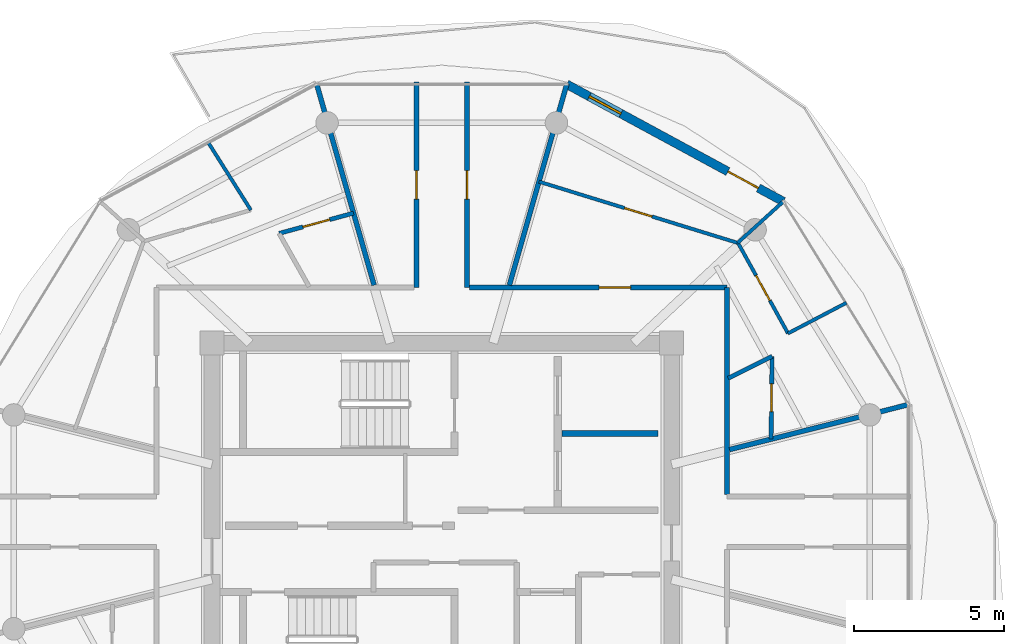
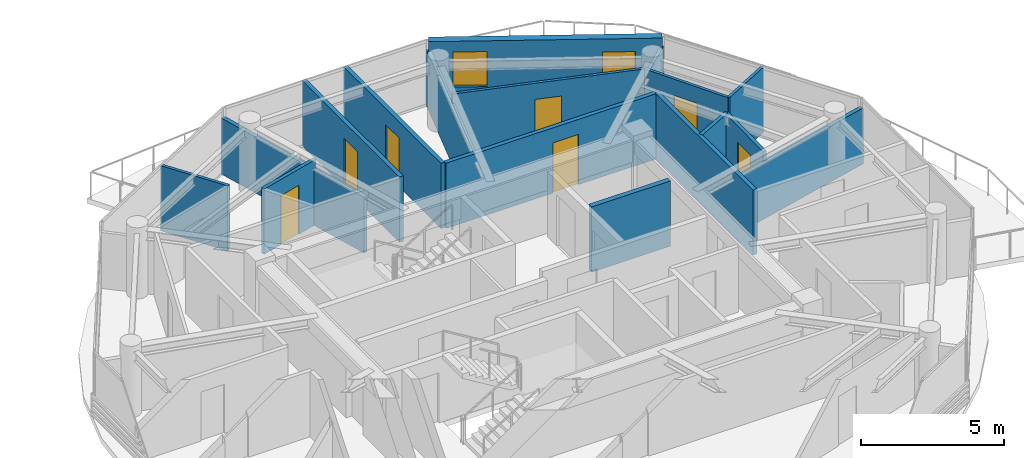
# One storey, part 14 of 19: 17 walls, 8 doors, 1 window, 9 openings.
"""IFC4 building model written with IfcOpenShell, lengths in metres."""

from ifc_helpers import new_model, si_unit, direction, frame, frame_2d, origin, place, context, subcontext, project, spatial, rectangle, extrude, source, transform, mapped, material, layer, layer_set, type_object, type_shapes, element, fill, save


model = new_model("IFC4")

# Units and contexts
model_context = context("Model", 3, precision=1e-05, world=origin(), true_north=direction((0.0, 1.0)))
body_context = subcontext(model_context, "Body", "Model", "MODEL_VIEW")
ifc_project = project(units=[si_unit("LENGTHUNIT", "METRE"), si_unit("AREAUNIT", "SQUARE_METRE"), si_unit("VOLUMEUNIT", "CUBIC_METRE"), si_unit("PLANEANGLEUNIT", "RADIAN"), si_unit("MASSUNIT", "GRAM", prefix="KILO")], contexts=[model_context])

# Site, building, storey
site_placement = place(None, origin())
site = spatial("IfcSite", under=ifc_project, at=site_placement, CompositionType="ELEMENT")
building_placement = place(site_placement, origin())
building = spatial("IfcBuilding", under=site, at=building_placement, Name="Norrkilde Senior Care Towers", CompositionType="ELEMENT")
storey_placement = place(building_placement, frame((0.0, 0.0, 235.25)))
storey = spatial("IfcBuildingStorey", under=building, at=storey_placement, Name="L73", CompositionType="ELEMENT", Elevation=235.25)

# Wall, openings, door, window
ifc_material_1 = material(Name="Precast concrete C45/55", Category="concrete")
ifc_layer_1 = layer(ifc_material_1, 0.2900390625)
ifc_layer_set_1 = layer_set([ifc_layer_1], Name="Precast concrete C45/55")
wall_type_1 = type_object("IfcWallType", Name="Winter Garden Facade Wall 290", PredefinedType="SOLIDWALL", material=ifc_layer_set_1)
shared_shape_1 = source(origin(), body_context, "Body", "SweptSolid", [
    extrude(rectangle(XDim=8.197265625, YDim=0.2900390625, at=frame_2d((4.0986328125, 0.0))), origin(), (0.0, 0.0, 1.0), 2.81005859375),
])
type_shapes(wall_type_1, [shared_shape_1])
wall_1_placement = place(storey_placement, frame((32.161865234375, 14.566162109375, 0.0), z_axis=(0.0, 0.0, 1.0), x_axis=(0.879369910001, -0.476139224791, 0.0)))
wall_1 = element("IfcWall", 1, at=wall_1_placement, inside=storey, type_object=wall_type_1, Name="L73 Drum E Balcony Access Wall 01", PredefinedType="SOLIDWALL", context=body_context, shape_type="MappedRepresentation", body=[
    mapped(shared_shape_1, transform((0.0, 0.0, 0.0), x_axis=(1.0, 0.0, 0.0), y_axis=(0.0, 1.0, 0.0), z_axis=(0.0, 0.0, 1.0), scale=1.0)),
])
opening_1_placement = place(wall_1_placement, frame((6.10009765625, 0.0, 0.0)))
opening_1 = element("IfcOpeningElement", 2, at=opening_1_placement, cuts=wall_1, Name="Opening D-09", PredefinedType="OPENING", context=body_context, shape_type="SweptSolid", body=[
    extrude(rectangle(XDim=1.14990234375, YDim=2.25, at=frame_2d((0.574951171875, 1.125))), frame((0.0, 0.155029296875, 0.0), z_axis=(0.0, -1.0, 0.0), x_axis=(1.0, 0.0, 0.0)), (0.0, 0.0, 1.0), 0.31005859375),
])
opening_2_placement = place(wall_1_placement, frame((0.85009765625, 0.0, 0.85009765625)))
opening_2 = element("IfcOpeningElement", 3, at=opening_2_placement, cuts=wall_1, Name="Opening WN-07", PredefinedType="OPENING", context=body_context, shape_type="SweptSolid", body=[
    extrude(rectangle(XDim=1.199951171875, YDim=1.5, at=frame_2d((0.60009765625, 0.75))), frame((0.0, 0.155029296875, 0.0), z_axis=(0.0, -1.0, 0.0), x_axis=(1.0, 0.0, 0.0)), (0.0, 0.0, 1.0), 0.31005859375),
])
ifc_material_2 = material(Name="Anodised Aluminium", Category="aluminium")
door_type_1 = type_object("IfcDoorType", Name="Terrace and Balcony Glazed Door 1150x2250", OperationType="NOTDEFINED", PredefinedType="DOOR", material=ifc_material_2)
shared_shape_2 = source(origin(), body_context, "Body", "SweptSolid", [
    extrude(rectangle(XDim=1.14990234375, YDim=2.25, at=frame_2d((0.574951171875, 1.125))), frame((0.0, 0.02490234375, 0.0), z_axis=(0.0, -1.0, 0.0), x_axis=(1.0, 0.0, 0.0)), (0.0, 0.0, 1.0), 0.050048828125),
])
type_shapes(door_type_1, [shared_shape_2])
door_1_placement = place(opening_1_placement, origin())
door_1 = element("IfcDoor", 4, at=door_1_placement, inside=storey, type_object=door_type_1, Name="L73 Drum E Outdoor Terrace Door 01", OperationType="SINGLE_SWING_RIGHT", OverallHeight=2.25, OverallWidth=1.14990234375, PredefinedType="DOOR", context=body_context, shape_type="MappedRepresentation", body=[
    mapped(shared_shape_2, transform((0.0, 0.0, 0.0), x_axis=(1.0, 0.0, 0.0), y_axis=(0.0, 1.0, 0.0), z_axis=(0.0, 0.0, 1.0), scale=1.0)),
])
fill(opening_1, door_1)
ifc_material_3 = material(Name="Triple Low-E Insulated Glazing", Category="glass")
window_type = type_object("IfcWindowType", Name="Stairwell Smoke Vent Window 1200x1500", PartitioningType="SINGLE_PANEL", PredefinedType="WINDOW", material=ifc_material_3)
shared_shape_3 = source(origin(), body_context, "Body", "SweptSolid", [
    extrude(rectangle(XDim=1.199951171875, YDim=1.5, at=frame_2d((0.60009765625, 0.75))), frame((0.0, 0.030029296875, 0.0), z_axis=(0.0, -1.0, 0.0), x_axis=(1.0, 0.0, 0.0)), (0.0, 0.0, 1.0), 0.06005859375),
])
type_shapes(window_type, [shared_shape_3])
window_placement = place(opening_2_placement, origin())
window = element("IfcWindow", 5, at=window_placement, inside=storey, type_object=window_type, Name="L73 Drum E Winter Garden Window 01", OverallHeight=1.5, OverallWidth=1.199951171875, PartitioningType="SINGLE_PANEL", PredefinedType="WINDOW", context=body_context, shape_type="MappedRepresentation", body=[
    mapped(shared_shape_3, transform((0.0, 0.0, 0.0), x_axis=(1.0, 0.0, 0.0), y_axis=(0.0, 1.0, 0.0), z_axis=(0.0, 0.0, 1.0), scale=1.0)),
])
fill(opening_2, window)

# Wall
ifc_material_4 = material(Name="Concrete C45/55", Category="concrete")
ifc_layer_2 = layer(ifc_material_4, 0.199951171875)
ifc_layer_set_2 = layer_set([ifc_layer_2], Name="Concrete C45/55")
wall_type_2 = type_object("IfcWallType", Name="Shaft Division and Plant Partition 200", PredefinedType="PARTITIONING", material=ifc_layer_set_2)
shared_shape_4 = source(origin(), body_context, "Body", "SweptSolid", [
    extrude(rectangle(XDim=3.199951171875, YDim=0.199951171875, at=frame_2d((1.60009765625, 0.0))), origin(), (0.0, 0.0, 1.0), 2.794921875),
])
type_shapes(wall_type_2, [shared_shape_4])
wall_2_placement = place(storey_placement, frame((32.0, 2.949951171875, 0.0), z_axis=(0.0, 0.0, 1.0), x_axis=(1.0, 0.0, 0.0)))
element("IfcWall", 6, at=wall_2_placement, inside=storey, type_object=wall_type_2, Name="WL-INT-L73-E-FFLDIV", PredefinedType="PARTITIONING", context=body_context, shape_type="MappedRepresentation", body=[
    mapped(shared_shape_4, transform((0.0, 0.0, 0.0), x_axis=(1.0, 0.0, 0.0), y_axis=(0.0, 1.0, 0.0), z_axis=(0.0, 0.0, 1.0), scale=1.0)),
])

# Wall, opening, door
ifc_material_5 = material(Name="Gypsum Acoustic Board")
ifc_layer_3 = layer(ifc_material_5, 0.1650390625)
ifc_layer_set_3 = layer_set([ifc_layer_3], Name="Gypsum Acoustic Board")
wall_type_3 = type_object("IfcWallType", Name="Corridor Rated Partition 165", PredefinedType="PARTITIONING", material=ifc_layer_set_3)
shared_shape_5 = source(origin(), body_context, "Body", "SweptSolid", [
    extrude(rectangle(XDim=8.580078125, YDim=0.1650390625, at=frame_2d((4.2900390625, 0.0))), origin(), (0.0, 0.0, 1.0), 2.794921875),
])
wall_3_placement = place(storey_placement, frame((28.919921875, 7.800048828125, 0.0), z_axis=(0.0, 0.0, 1.0), x_axis=(1.0, 0.0, 0.0)))
wall_3 = element("IfcWall", 7, at=wall_3_placement, inside=storey, type_object=wall_type_3, Name="WL-INT-L73-E-CRW-N-1", PredefinedType="PARTITIONING", context=body_context, shape_type="MappedRepresentation", body=[
    mapped(shared_shape_5, transform((0.0, 0.0, 0.0), x_axis=(1.0, 0.0, 0.0), y_axis=(0.0, 1.0, 0.0), z_axis=(0.0, 0.0, 1.0), scale=1.0)),
])
opening_3_placement = place(wall_3_placement, frame((4.31982421875, 0.0, 0.0)))
opening_3 = element("IfcOpeningElement", 8, at=opening_3_placement, cuts=wall_3, Name="Opening D-06", PredefinedType="OPENING", context=body_context, shape_type="SweptSolid", body=[
    extrude(rectangle(XDim=1.050048828125, YDim=2.14990234375, at=frame_2d((0.52490234375, 1.074951171875))), frame((0.0, 0.092529296875, 0.0), z_axis=(0.0, -1.0, 0.0), x_axis=(1.0, 0.0, 0.0)), (0.0, 0.0, 1.0), 0.18505859375),
])
ifc_material_6 = material(Name="Nordic Ash Timber", Category="wood")
door_type_2 = type_object("IfcDoorType", Name="Apartment Entrance Fire Door 1050x2150", OperationType="NOTDEFINED", PredefinedType="DOOR", material=ifc_material_6)
shared_shape_6 = source(origin(), body_context, "Body", "SweptSolid", [
    extrude(rectangle(XDim=1.050048828125, YDim=2.14990234375, at=frame_2d((0.52490234375, 1.074951171875))), frame((0.0, 0.02490234375, 0.0), z_axis=(0.0, -1.0, 0.0), x_axis=(1.0, 0.0, 0.0)), (0.0, 0.0, 1.0), 0.050048828125),
])
type_shapes(door_type_2, [shared_shape_6])
door_2_placement = place(opening_3_placement, frame((1.050048828125, 0.0, 0.0), z_axis=(0.0, 0.0, 1.0), x_axis=(-1.0, 0.0, 0.0)))
door_2 = element("IfcDoor", 9, at=door_2_placement, inside=storey, type_object=door_type_2, Name="Apartment 73A Entrance Door", OperationType="SINGLE_SWING_LEFT", OverallHeight=2.14990234375, OverallWidth=1.050048828125, PredefinedType="DOOR", context=body_context, shape_type="MappedRepresentation", body=[
    mapped(shared_shape_6, transform((0.0, 0.0, 0.0), x_axis=(1.0, 0.0, 0.0), y_axis=(0.0, 1.0, 0.0), z_axis=(0.0, 0.0, 1.0), scale=1.0)),
])
fill(opening_3, door_2)

# Walls
shared_shape_7 = source(origin(), body_context, "Body", "SweptSolid", [
    extrude(rectangle(XDim=6.880126953125, YDim=0.1650390625, at=frame_2d((3.43994140625, 0.0))), origin(), (0.0, 0.0, 1.0), 2.794921875),
])
wall_4_placement = place(storey_placement, frame((37.5, 7.800048828125, 0.0), z_axis=(0.0, 0.0, 1.0), x_axis=(0.0, -1.0, 0.0)))
element("IfcWall", 10, at=wall_4_placement, inside=storey, type_object=wall_type_3, Name="WL-INT-L73-E-CRW-E-0", PredefinedType="PARTITIONING", context=body_context, shape_type="MappedRepresentation", body=[
    mapped(shared_shape_7, transform((0.0, 0.0, 0.0), x_axis=(1.0, 0.0, 0.0), y_axis=(0.0, 1.0, 0.0), z_axis=(0.0, 0.0, 1.0), scale=1.0)),
])
shared_shape_8 = source(origin(), body_context, "Body", "SweptSolid", [
    extrude(rectangle(XDim=6.973876953125, YDim=0.1650390625, at=frame_2d((3.48681640625, 0.0))), origin(), (0.0, 0.0, 1.0), 2.39501953125),
])
for number, where, z_axis, x_axis, name in (
    (11, (30.251220703125, 7.8798828125, 0.0), (0.0, 0.0, 1.0), (0.274707256801, 0.961527910703, 0.0), "WL-INT-L73-E-DEM-02-0"),
    (12, (25.748779296875, 7.8798828125, 0.0), (0.0, 0.0, 1.0), (-0.274707256801, 0.961527910703, 0.0), "WL-INT-L73-E-DEM-03-0"),
):
    element("IfcWall", number, at=place(storey_placement, frame(where, z_axis=z_axis, x_axis=x_axis)), inside=storey, type_object=wall_type_3, Name=name, PredefinedType="PARTITIONING", context=body_context, shape_type="MappedRepresentation", body=[
        mapped(shared_shape_8, transform((0.0, 0.0, 0.0), x_axis=(1.0, 0.0, 0.0), y_axis=(0.0, 1.0, 0.0), z_axis=(0.0, 0.0, 1.0), scale=1.0)),
    ])
shared_shape_9 = source(origin(), body_context, "Body", "SweptSolid", [
    extrude(rectangle(XDim=6.1572265625, YDim=0.1650390625, at=frame_2d((3.07861328125, 0.0))), origin(), (0.0, 0.0, 1.0), 2.39501953125),
])
wall_5_placement = place(storey_placement, frame((37.580078125, 2.407470703125, 0.0), z_axis=(0.0, 0.0, 1.0), x_axis=(0.969840867184, 0.243738984038, 0.0)))
element("IfcWall", 13, at=wall_5_placement, inside=storey, type_object=wall_type_3, Name="WL-INT-L73-E-DEM-00-0", PredefinedType="PARTITIONING", context=body_context, shape_type="MappedRepresentation", body=[
    mapped(shared_shape_9, transform((0.0, 0.0, 0.0), x_axis=(1.0, 0.0, 0.0), y_axis=(0.0, 1.0, 0.0), z_axis=(0.0, 0.0, 1.0), scale=1.0)),
])
ifc_layer_4 = layer(ifc_material_5, 0.114990234375)
ifc_layer_set_4 = layer_set([ifc_layer_4], Name="Gypsum Acoustic Board")
wall_type_4 = type_object("IfcWallType", Name="Internal Room Partition 115", PredefinedType="PARTITIONING", material=ifc_layer_set_4)
shared_shape_10 = source(origin(), body_context, "Body", "SweptSolid", [
    extrude(rectangle(XDim=2.071533203125, YDim=0.114990234375, at=frame_2d((1.03564453125, 0.0))), origin(), (0.0, 0.0, 1.0), 2.39501953125),
])
wall_6_placement = place(storey_placement, frame((37.8486328125, 9.287109375, 0.0), z_axis=(0.0, 0.0, 1.0), x_axis=(0.741410125356, 0.671052178314, 0.0)))
element("IfcWall", 14, at=wall_6_placement, inside=storey, type_object=wall_type_4, Name="WL-INT-L73-E-UBR-00-1", PredefinedType="PARTITIONING", context=body_context, shape_type="MappedRepresentation", body=[
    mapped(shared_shape_10, transform((0.0, 0.0, 0.0), x_axis=(1.0, 0.0, 0.0), y_axis=(0.0, 1.0, 0.0), z_axis=(0.0, 0.0, 1.0), scale=1.0)),
])

# Wall, opening, door
shared_shape_11 = source(origin(), body_context, "Body", "SweptSolid", [
    extrude(rectangle(XDim=6.83544921875, YDim=0.1650390625, at=frame_2d((3.417724609375, 0.0))), origin(), (0.0, 0.0, 1.0), 2.794921875),
])
type_shapes(wall_type_3, [shared_shape_5, shared_shape_7, shared_shape_8, shared_shape_9, shared_shape_11])
wall_7_placement = place(storey_placement, frame((27.159912109375, 7.800048828125, 0.0), z_axis=(0.0, 0.0, 1.0), x_axis=(0.0, 1.0, 0.0)))
wall_7 = element("IfcWall", 15, at=wall_7_placement, inside=storey, type_object=wall_type_3, Name="WL-INT-L73-E-SPK-N1-0", PredefinedType="PARTITIONING", context=body_context, shape_type="MappedRepresentation", body=[
    mapped(shared_shape_11, transform((0.0, 0.0, 0.0), x_axis=(1.0, 0.0, 0.0), y_axis=(0.0, 1.0, 0.0), z_axis=(0.0, 0.0, 1.0), scale=1.0)),
])
opening_4_placement = place(wall_7_placement, frame((2.942626953125, 0.0, 0.0)))
opening_4 = element("IfcOpeningElement", 16, at=opening_4_placement, cuts=wall_7, Name="Opening D-07", PredefinedType="OPENING", context=body_context, shape_type="SweptSolid", body=[
    extrude(rectangle(XDim=0.949951171875, YDim=2.10009765625, at=frame_2d((0.47509765625, 1.050048828125))), frame((0.0, 0.092529296875, 0.0), z_axis=(0.0, -1.0, 0.0), x_axis=(1.0, 0.0, 0.0)), (0.0, 0.0, 1.0), 0.18505859375),
])
door_type_3 = type_object("IfcDoorType", Name="Internal Suite Bedroom Door 950x2100", OperationType="NOTDEFINED", PredefinedType="DOOR", material=ifc_material_6)
shared_shape_12 = source(origin(), body_context, "Body", "SweptSolid", [
    extrude(rectangle(XDim=0.949951171875, YDim=2.10009765625, at=frame_2d((0.47509765625, 1.050048828125))), frame((0.0, 0.02490234375, 0.0), z_axis=(0.0, -1.0, 0.0), x_axis=(1.0, 0.0, 0.0)), (0.0, 0.0, 1.0), 0.050048828125),
])
type_shapes(door_type_3, [shared_shape_12])
door_3_placement = place(opening_4_placement, frame((0.949951171875, 0.0, 0.0), z_axis=(0.0, 0.0, 1.0), x_axis=(-1.0, 0.0, 0.0)))
door_3 = element("IfcDoor", 17, at=door_3_placement, inside=storey, type_object=door_type_3, Name="L73 Sun Reading Lounge 3 Door", OperationType="SINGLE_SWING_RIGHT", OverallHeight=2.10009765625, OverallWidth=0.949951171875, PredefinedType="DOOR", context=body_context, shape_type="MappedRepresentation", body=[
    mapped(shared_shape_12, transform((0.0, 0.0, 0.0), x_axis=(1.0, 0.0, 0.0), y_axis=(0.0, 1.0, 0.0), z_axis=(0.0, 0.0, 1.0), scale=1.0)),
])
fill(opening_4, door_3)

wall_8_placement = place(storey_placement, frame((28.840087890625, 14.635498046875, 0.0), z_axis=(0.0, 0.0, 1.0), x_axis=(0.0, -1.0, 0.0)))
wall_8 = element("IfcWall", 18, at=wall_8_placement, inside=storey, type_object=wall_type_3, Name="WL-INT-L73-E-SPK-N2-0", PredefinedType="PARTITIONING", context=body_context, shape_type="MappedRepresentation", body=[
    mapped(shared_shape_11, transform((0.0, 0.0, 0.0), x_axis=(1.0, 0.0, 0.0), y_axis=(0.0, 1.0, 0.0), z_axis=(0.0, 0.0, 1.0), scale=1.0)),
])
opening_5_placement = place(wall_8_placement, frame((2.942626953125, 0.0, 0.0)))
opening_5 = element("IfcOpeningElement", 19, at=opening_5_placement, cuts=wall_8, Name="Opening D-07", PredefinedType="OPENING", context=body_context, shape_type="SweptSolid", body=[
    extrude(rectangle(XDim=0.949951171875, YDim=2.10009765625, at=frame_2d((0.47509765625, 1.050048828125))), frame((0.0, 0.092529296875, 0.0), z_axis=(0.0, -1.0, 0.0), x_axis=(1.0, 0.0, 0.0)), (0.0, 0.0, 1.0), 0.18505859375),
])
door_4_placement = place(opening_5_placement, frame((0.949951171875, 0.0, 0.0), z_axis=(0.0, 0.0, 1.0), x_axis=(-1.0, 0.0, 0.0)))
door_4 = element("IfcDoor", 20, at=door_4_placement, inside=storey, type_object=door_type_3, Name="L73 Sun Reading Lounge 4 Door", OperationType="SINGLE_SWING_LEFT", OverallHeight=2.10009765625, OverallWidth=0.949951171875, PredefinedType="DOOR", context=body_context, shape_type="MappedRepresentation", body=[
    mapped(shared_shape_12, transform((0.0, 0.0, 0.0), x_axis=(1.0, 0.0, 0.0), y_axis=(0.0, 1.0, 0.0), z_axis=(0.0, 0.0, 1.0), scale=1.0)),
])
fill(opening_5, door_4)

shared_shape_13 = source(origin(), body_context, "Body", "SweptSolid", [
    extrude(rectangle(XDim=6.919189453125, YDim=0.114990234375, at=frame_2d((3.45947265625, 0.0))), origin(), (0.0, 0.0, 1.0), 2.794921875),
])
wall_9_placement = place(storey_placement, frame((37.8486328125, 9.287109375, 0.0), z_axis=(0.0, 0.0, 1.0), x_axis=(-0.955678249072, 0.294413118341, 0.0)))
wall_9 = element("IfcWall", 21, at=wall_9_placement, inside=storey, type_object=wall_type_4, Name="WL-INT-L73-E-UBC-00-1", PredefinedType="PARTITIONING", context=body_context, shape_type="MappedRepresentation", body=[
    mapped(shared_shape_13, transform((0.0, 0.0, 0.0), x_axis=(1.0, 0.0, 0.0), y_axis=(0.0, 1.0, 0.0), z_axis=(0.0, 0.0, 1.0), scale=1.0)),
])
opening_6_placement = place(wall_9_placement, frame((2.984619140625, 0.0, 0.0)))
opening_6 = element("IfcOpeningElement", 22, at=opening_6_placement, cuts=wall_9, Name="Opening D-07", PredefinedType="OPENING", context=body_context, shape_type="SweptSolid", body=[
    extrude(rectangle(XDim=0.949951171875, YDim=2.10009765625, at=frame_2d((0.47509765625, 1.050048828125))), frame((0.0, 0.0673828125, 0.0), z_axis=(0.0, -1.0, 0.0), x_axis=(1.0, 0.0, 0.0)), (0.0, 0.0, 1.0), 0.135009765625),
])
door_5_placement = place(opening_6_placement, origin())
door_5 = element("IfcDoor", 23, at=door_5_placement, inside=storey, type_object=door_type_3, Name="Apartment 73A Bedroom 1 Door", OperationType="SINGLE_SWING_RIGHT", OverallHeight=2.10009765625, OverallWidth=0.949951171875, PredefinedType="DOOR", context=body_context, shape_type="MappedRepresentation", body=[
    mapped(shared_shape_12, transform((0.0, 0.0, 0.0), x_axis=(1.0, 0.0, 0.0), y_axis=(0.0, 1.0, 0.0), z_axis=(0.0, 0.0, 1.0), scale=1.0)),
])
fill(opening_6, door_5)

# Wall
ifc_layer_5 = layer(ifc_material_5, 0.139892578125)
ifc_layer_set_5 = layer_set([ifc_layer_5], Name="Gypsum Acoustic Board")
wall_type_5 = type_object("IfcWallType", Name="En-suite Wet Room Wall 140", PredefinedType="PARTITIONING", material=ifc_layer_set_5)
shared_shape_14 = source(origin(), body_context, "Body", "SweptSolid", [
    extrude(rectangle(XDim=1.638427734375, YDim=0.139892578125, at=frame_2d((0.8193359375, 0.0))), origin(), (0.0, 0.0, 1.0), 2.794921875),
])
wall_10_placement = place(storey_placement, frame((37.530029296875, 4.7783203125, 0.0), z_axis=(0.0, 0.0, 1.0), x_axis=(0.893919977945, 0.448226586707, 0.0)))
element("IfcWall", 24, at=wall_10_placement, inside=storey, type_object=wall_type_5, Name="WL-INT-L73-E-UBTS-00", PredefinedType="PARTITIONING", context=body_context, shape_type="MappedRepresentation", body=[
    mapped(shared_shape_14, transform((0.0, 0.0, 0.0), x_axis=(1.0, 0.0, 0.0), y_axis=(0.0, 1.0, 0.0), z_axis=(0.0, 0.0, 1.0), scale=1.0)),
])

# Wall, opening, door
shared_shape_15 = source(origin(), body_context, "Body", "SweptSolid", [
    extrude(rectangle(XDim=2.7587890625, YDim=0.139892578125, at=frame_2d((1.37939453125, 0.0))), origin(), (0.0, 0.0, 1.0), 2.794921875),
])
wall_11_placement = place(storey_placement, frame((38.99462890625, 5.5126953125, 0.0), z_axis=(0.0, 0.0, 1.0), x_axis=(-0.01194710728, -0.999928630767, 0.0)))
wall_11 = element("IfcWall", 25, at=wall_11_placement, inside=storey, type_object=wall_type_5, Name="WL-INT-L73-E-UBTF-00", PredefinedType="PARTITIONING", context=body_context, shape_type="MappedRepresentation", body=[
    mapped(shared_shape_15, transform((0.0, 0.0, 0.0), x_axis=(1.0, 0.0, 0.0), y_axis=(0.0, 1.0, 0.0), z_axis=(0.0, 0.0, 1.0), scale=1.0)),
])
opening_7_placement = place(wall_11_placement, frame((0.91943359375, 0.0, 0.0)))
opening_7 = element("IfcOpeningElement", 26, at=opening_7_placement, cuts=wall_11, Name="Opening D-08", PredefinedType="OPENING", context=body_context, shape_type="SweptSolid", body=[
    extrude(rectangle(XDim=0.919921875, YDim=2.10009765625, at=frame_2d((0.4599609375, 1.050048828125))), frame((0.0, 0.079833984375, 0.0), z_axis=(0.0, -1.0, 0.0), x_axis=(1.0, 0.0, 0.0)), (0.0, 0.0, 1.0), 0.159912109375),
])
door_type_4 = type_object("IfcDoorType", Name="Accessible Wet Room Door 920x2100", OperationType="NOTDEFINED", PredefinedType="DOOR", material=ifc_material_6)
shared_shape_16 = source(origin(), body_context, "Body", "SweptSolid", [
    extrude(rectangle(XDim=0.919921875, YDim=2.10009765625, at=frame_2d((0.4599609375, 1.050048828125))), frame((0.0, 0.02490234375, 0.0), z_axis=(0.0, -1.0, 0.0), x_axis=(1.0, 0.0, 0.0)), (0.0, 0.0, 1.0), 0.050048828125),
])
type_shapes(door_type_4, [shared_shape_16])
door_6_placement = place(opening_7_placement, origin())
door_6 = element("IfcDoor", 27, at=door_6_placement, inside=storey, type_object=door_type_4, Name="Apartment 73A Bathroom Door", OperationType="SINGLE_SWING_RIGHT", OverallHeight=2.10009765625, OverallWidth=0.919921875, PredefinedType="DOOR", context=body_context, shape_type="MappedRepresentation", body=[
    mapped(shared_shape_16, transform((0.0, 0.0, 0.0), x_axis=(1.0, 0.0, 0.0), y_axis=(0.0, 1.0, 0.0), z_axis=(0.0, 0.0, 1.0), scale=1.0)),
])
fill(opening_7, door_6)

# Wall
shared_shape_17 = source(origin(), body_context, "Body", "SweptSolid", [
    extrude(rectangle(XDim=2.193115234375, YDim=0.114990234375, at=frame_2d((1.0966796875, 0.0))), origin(), (0.0, 0.0, 1.0), 2.794921875),
])
wall_12_placement = place(storey_placement, frame((39.525390625, 6.27490234375, 0.0), z_axis=(0.0, 0.0, 1.0), x_axis=(0.885783595046, 0.464098505435, 0.0)))
element("IfcWall", 28, at=wall_12_placement, inside=storey, type_object=wall_type_4, Name="WL-INT-L73-E-UKTS-00", PredefinedType="PARTITIONING", context=body_context, shape_type="MappedRepresentation", body=[
    mapped(shared_shape_17, transform((0.0, 0.0, 0.0), x_axis=(1.0, 0.0, 0.0), y_axis=(0.0, 1.0, 0.0), z_axis=(0.0, 0.0, 1.0), scale=1.0)),
])

# Wall, opening, door
shared_shape_18 = source(origin(), body_context, "Body", "SweptSolid", [
    extrude(rectangle(XDim=3.4501953125, YDim=0.114990234375, at=frame_2d((1.72509765625, 0.0))), origin(), (0.0, 0.0, 1.0), 2.794921875),
])
wall_13_placement = place(storey_placement, frame((39.525390625, 6.27490234375, 0.0), z_axis=(0.0, 0.0, 1.0), x_axis=(-0.483659007882, 0.875256513312, 0.0)))
wall_13 = element("IfcWall", 29, at=wall_13_placement, inside=storey, type_object=wall_type_4, Name="WL-INT-L73-E-UKTF-00", PredefinedType="PARTITIONING", context=body_context, shape_type="MappedRepresentation", body=[
    mapped(shared_shape_18, transform((0.0, 0.0, 0.0), x_axis=(1.0, 0.0, 0.0), y_axis=(0.0, 1.0, 0.0), z_axis=(0.0, 0.0, 1.0), scale=1.0)),
])
opening_8_placement = place(wall_13_placement, frame((1.25, 0.0, 0.0)))
opening_8 = element("IfcOpeningElement", 30, at=opening_8_placement, cuts=wall_13, Name="Opening D-07", PredefinedType="OPENING", context=body_context, shape_type="SweptSolid", body=[
    extrude(rectangle(XDim=0.949951171875, YDim=2.10009765625, at=frame_2d((0.47509765625, 1.050048828125))), frame((0.0, 0.0673828125, 0.0), z_axis=(0.0, -1.0, 0.0), x_axis=(1.0, 0.0, 0.0)), (0.0, 0.0, 1.0), 0.135009765625),
])
door_7_placement = place(opening_8_placement, frame((0.949951171875, 0.0, 0.0), z_axis=(0.0, 0.0, 1.0), x_axis=(-1.0, 0.0, 0.0)))
door_7 = element("IfcDoor", 31, at=door_7_placement, inside=storey, type_object=door_type_3, Name="Apartment 73A Kitchen Door", OperationType="SINGLE_SWING_LEFT", OverallHeight=2.10009765625, OverallWidth=0.949951171875, PredefinedType="DOOR", context=body_context, shape_type="MappedRepresentation", body=[
    mapped(shared_shape_12, transform((0.0, 0.0, 0.0), x_axis=(1.0, 0.0, 0.0), y_axis=(0.0, 1.0, 0.0), z_axis=(0.0, 0.0, 1.0), scale=1.0)),
])
fill(opening_8, door_7)

shared_shape_19 = source(origin(), body_context, "Body", "SweptSolid", [
    extrude(rectangle(XDim=2.567626953125, YDim=0.139892578125, at=frame_2d((1.28369140625, 0.0))), origin(), (0.0, 0.0, 1.0), 2.794921875),
])
type_shapes(wall_type_5, [shared_shape_14, shared_shape_15, shared_shape_19])
wall_14_placement = place(storey_placement, frame((22.58544921875, 9.60302734375, 0.0), z_axis=(0.0, 0.0, 1.0), x_axis=(0.964796726679, 0.262996722775, 0.0)))
wall_14 = element("IfcWall", 32, at=wall_14_placement, inside=storey, type_object=wall_type_5, Name="WL-INT-L73-E-UBTF-03", PredefinedType="PARTITIONING", context=body_context, shape_type="MappedRepresentation", body=[
    mapped(shared_shape_19, transform((0.0, 0.0, 0.0), x_axis=(1.0, 0.0, 0.0), y_axis=(0.0, 1.0, 0.0), z_axis=(0.0, 0.0, 1.0), scale=1.0)),
])
opening_9_placement = place(wall_14_placement, frame((0.823974609375, 0.0, 0.0)))
opening_9 = element("IfcOpeningElement", 33, at=opening_9_placement, cuts=wall_14, Name="Opening D-08", PredefinedType="OPENING", context=body_context, shape_type="SweptSolid", body=[
    extrude(rectangle(XDim=0.919921875, YDim=2.10009765625, at=frame_2d((0.4599609375, 1.050048828125))), frame((0.0, 0.079833984375, 0.0), z_axis=(0.0, -1.0, 0.0), x_axis=(1.0, 0.0, 0.0)), (0.0, 0.0, 1.0), 0.159912109375),
])
door_8_placement = place(opening_9_placement, origin())
door_8 = element("IfcDoor", 34, at=door_8_placement, inside=storey, type_object=door_type_4, Name="Apartment 73B Bathroom Door", OperationType="SINGLE_SWING_LEFT", OverallHeight=2.10009765625, OverallWidth=0.919921875, PredefinedType="DOOR", context=body_context, shape_type="MappedRepresentation", body=[
    mapped(shared_shape_16, transform((0.0, 0.0, 0.0), x_axis=(1.0, 0.0, 0.0), y_axis=(0.0, 1.0, 0.0), z_axis=(0.0, 0.0, 1.0), scale=1.0)),
])
fill(opening_9, door_8)

# Wall
shared_shape_20 = source(origin(), body_context, "Body", "SweptSolid", [
    extrude(rectangle(XDim=2.66162109375, YDim=0.114990234375, at=frame_2d((1.330810546875, 0.0))), origin(), (0.0, 0.0, 1.0), 2.794921875),
])
type_shapes(wall_type_4, [shared_shape_10, shared_shape_13, shared_shape_17, shared_shape_18, shared_shape_20])
wall_15_placement = place(storey_placement, frame((21.64453125, 10.380126953125, 0.0), z_axis=(0.0, 0.0, 1.0), x_axis=(-0.533547747092, 0.845769946009, 0.0)))
element("IfcWall", 35, at=wall_15_placement, inside=storey, type_object=wall_type_4, Name="WL-INT-L73-E-UKTS-03", PredefinedType="PARTITIONING", context=body_context, shape_type="MappedRepresentation", body=[
    mapped(shared_shape_20, transform((0.0, 0.0, 0.0), x_axis=(1.0, 0.0, 0.0), y_axis=(0.0, 1.0, 0.0), z_axis=(0.0, 0.0, 1.0), scale=1.0)),
])

save(model, "model.ifc")
